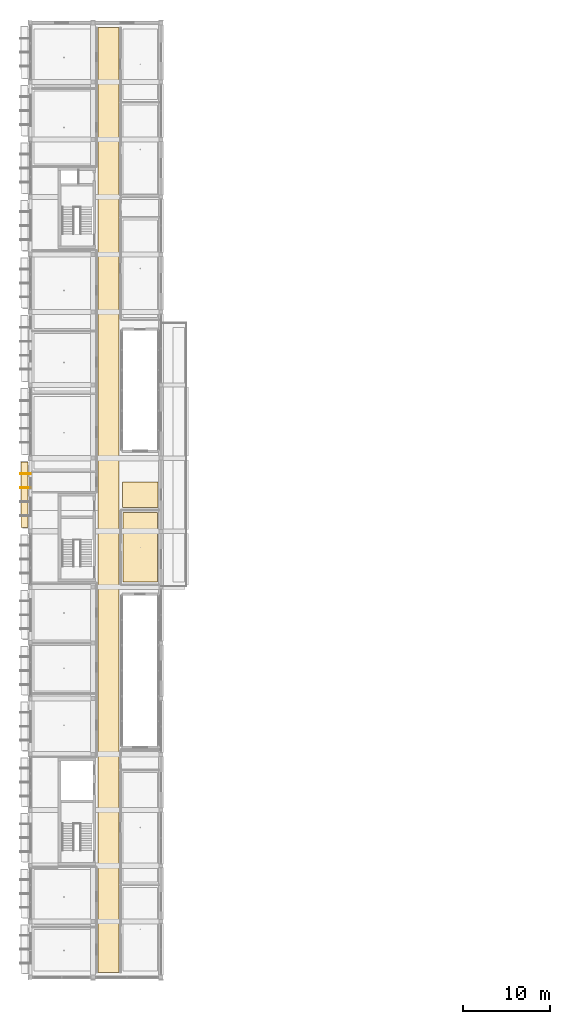
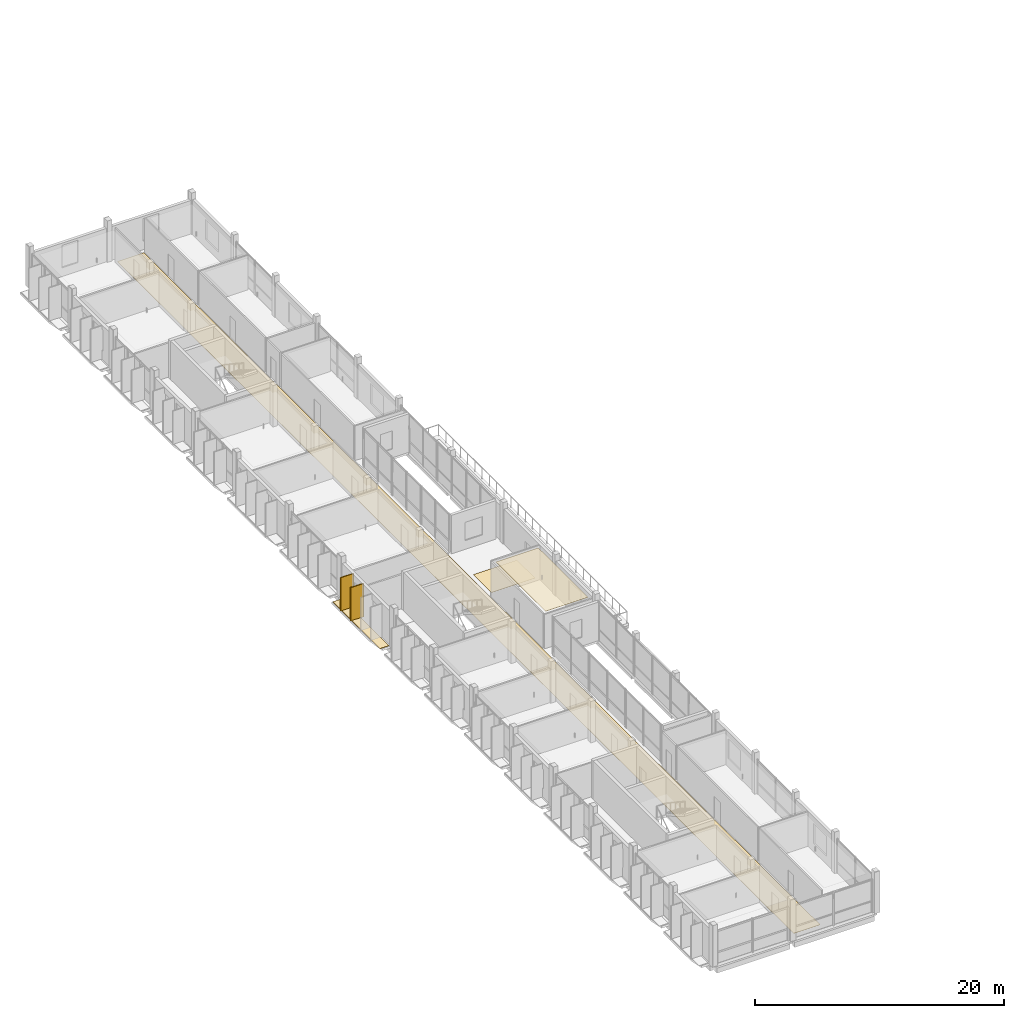
# One storey, part 42 of 48: 6 coverings, 2 shading devices.
"""IFC4 building model written with IfcOpenShell, lengths in metres."""

from ifc_helpers import new_model, si_unit, derived_unit, direction, frame, origin, origin_2d, place, context, subcontext, project, spatial, polyline, rectangle, outline, extrude, material, layer, layer_set, type_object, element, save


model = new_model("IFC4")

# Units and contexts
model_context = context("Model", 3, precision=1e-05, world=origin(), true_north=direction((0.0, 1.0)))
body_context = subcontext(model_context, "Body", "Model", "MODEL_VIEW")
ifc_project = project(units=[si_unit("LENGTHUNIT", "METRE"), si_unit("AREAUNIT", "SQUARE_METRE"), si_unit("VOLUMEUNIT", "CUBIC_METRE"), si_unit("PLANEANGLEUNIT", "RADIAN"), si_unit("MASSUNIT", "GRAM", prefix="KILO"), derived_unit("THERMALTRANSMITTANCEUNIT", [(si_unit("POWERUNIT", "WATT"), 1), (si_unit("LENGTHUNIT", "METRE"), -2), (si_unit("THERMODYNAMICTEMPERATUREUNIT", "KELVIN"), -1)])], contexts=[model_context])

# Site, building, storey
site_placement = place(None, origin())
site = spatial("IfcSite", under=ifc_project, at=site_placement, CompositionType="ELEMENT")
building_placement = place(site_placement, origin())
building = spatial("IfcBuilding", under=site, at=building_placement, Name="Braskholm Square Health Centre", CompositionType="ELEMENT")
storey_placement = place(building_placement, frame((0.0, 0.0, 17.550048828125)))
storey = spatial("IfcBuildingStorey", under=building, at=storey_placement, Name="L05", CompositionType="ELEMENT", Elevation=17.550048828125)

# Covering
ifc_material_1 = material(Name="Fire-rated gypsum board barrier")
ifc_layer_1 = layer(ifc_material_1, 0.02490234375)
ifc_layer_set_1 = layer_set([ifc_layer_1], Name="Fire-rated gypsum board barrier")
covering_type_1 = type_object("IfcCoveringType", Name="AcousticClinicalCeilingTile", PredefinedType="CEILING", material=ifc_layer_set_1)
covering_1_placement = place(storey_placement, frame((0.0, 0.0, 3.3349609375)))
element("IfcCovering", 1, at=covering_1_placement, inside=storey, type_object=covering_type_1, Name="Acoustic ceiling L05-136", PredefinedType="CEILING", context=body_context, shape_type="SweptSolid", body=[
    extrude(outline(polyline([(14.85009765625, 49.580078125), (18.780029296875, 49.580078125), (18.780029296875, 57.550048828125), (14.85009765625, 57.550048828125), (14.85009765625, 49.580078125)])), origin(), (0.0, 0.0, 1.0), 0.02490234375),
])

# Shading devices
ifc_material_2 = material(Name="Thermally modified western red cedar with bronze trim", Category="wood")
shading_device_type = type_object("IfcShadingDeviceType", Name="CedarBronzeShadingFin1250", PredefinedType="USERDEFINED", material=ifc_material_2)
for number, where, z_axis, x_axis, name in (
    (2, (3.635009765625, 60.39990234375, 0.0), (0.0, 0.0, 1.0), (1.0, 0.0, 0.0), "Warm cedar-bronze vertical shading slat 0180"),
    (3, (3.635009765625, 62.0, 0.0), (0.0, 0.0, 1.0), (1.0, 0.0, 0.0), "Warm cedar-bronze vertical shading slat 0181"),
):
    element("IfcShadingDevice", number, at=place(storey_placement, frame(where, z_axis=z_axis, x_axis=x_axis)), inside=storey, type_object=shading_device_type, Name=name, ObjectType="FIN", PredefinedType="USERDEFINED", context=body_context, shape_type="SweptSolid", body=[
        extrude(rectangle(XDim=1.25, YDim=0.0849609375, at=origin_2d()), origin(), (0.0, 0.0, 1.0), 3.27001953125),
    ])

# Coverings
ifc_layer_2 = layer(ifc_material_2, 0.0849609375)
ifc_layer_set_2 = layer_set([ifc_layer_2], Name="Thermally modified western red cedar with bronze trim")
covering_type_2 = type_object("IfcCoveringType", Name="CedarBronzeSlatCladding", PredefinedType="CLADDING", material=ifc_layer_set_2)
for number, where, z_axis, x_axis, name in (
    (4, (3.6298828125, 60.39990234375, 0.0), (0.0, 0.0, 1.0), (1.0, 0.0, 0.0), "Cedar-bronze shading slat trim 0631"),
    (5, (3.6298828125, 62.0, 0.0), (0.0, 0.0, 1.0), (1.0, 0.0, 0.0), "Cedar-bronze shading slat trim 0632"),
):
    element("IfcCovering", number, at=place(storey_placement, frame(where, z_axis=z_axis, x_axis=x_axis)), inside=storey, type_object=covering_type_2, Name=name, PredefinedType="CLADDING", context=body_context, shape_type="SweptSolid", body=[
        extrude(rectangle(XDim=1.179931640625, YDim=0.094970703125, at=origin_2d()), origin(), (0.0, 0.0, 1.0), 3.27001953125),
    ])
ifc_material_3 = material(Name="Intensive botanical sedum and native prairie garden bed")
ifc_layer_3 = layer(ifc_material_3, 0.02490234375)
ifc_layer_set_3 = layer_set([ifc_layer_3], Name="Intensive botanical sedum and native prairie garden bed")
covering_type_3 = type_object("IfcCoveringType", Name="PlantedTerraceGardenBed", PredefinedType="ROOFING", material=ifc_layer_set_3)
covering_2_placement = place(storey_placement, origin())
element("IfcCovering", 6, at=covering_2_placement, inside=storey, type_object=covering_type_3, Name="West floor planter ledge sedum strip 0633", PredefinedType="ROOFING", context=body_context, shape_type="SweptSolid", body=[
    extrude(outline(polyline([(3.1201171875, 55.820068359375), (3.949951171875, 55.820068359375), (3.949951171875, 63.3798828125), (3.1201171875, 63.3798828125), (3.1201171875, 55.820068359375)])), origin(), (0.0, 0.0, 1.0), 0.02490234375),
])
ifc_material_4 = material(Name="Polished geometric terrazzo flooring", Category="masonry")
ifc_layer_4 = layer(ifc_material_4, 0.02001953125)
ifc_layer_set_4 = layer_set([ifc_layer_4], Name="Polished geometric terrazzo flooring")
covering_type_4 = type_object("IfcCoveringType", Name="PolishedTerrazzoFloorFinish", PredefinedType="FLOORING", material=ifc_layer_set_4)
covering_3_placement = place(storey_placement, origin())
element("IfcCovering", 7, at=covering_3_placement, inside=storey, type_object=covering_type_4, Name="Polished terrazzo floor L05-120", PredefinedType="FLOORING", context=body_context, shape_type="SweptSolid", body=[
    extrude(outline(polyline([(11.949951171875, 4.75), (14.39990234375, 4.75), (14.39990234375, 113.25), (11.949951171875, 113.25), (11.949951171875, 4.75)])), origin(), (0.0, 0.0, 1.0), 0.02001953125),
])
covering_4_placement = place(storey_placement, origin())
element("IfcCovering", 8, at=covering_4_placement, inside=storey, type_object=covering_type_4, Name="Polished terrazzo floor L05-132", PredefinedType="FLOORING", context=body_context, shape_type="SweptSolid", body=[
    extrude(outline(polyline([(14.780029296875, 58.14990234375), (18.830078125, 58.14990234375), (18.830078125, 61.050048828125), (14.780029296875, 61.050048828125), (14.780029296875, 58.14990234375)])), origin(), (0.0, 0.0, 1.0), 0.02001953125),
])

save(model, "model.ifc")
